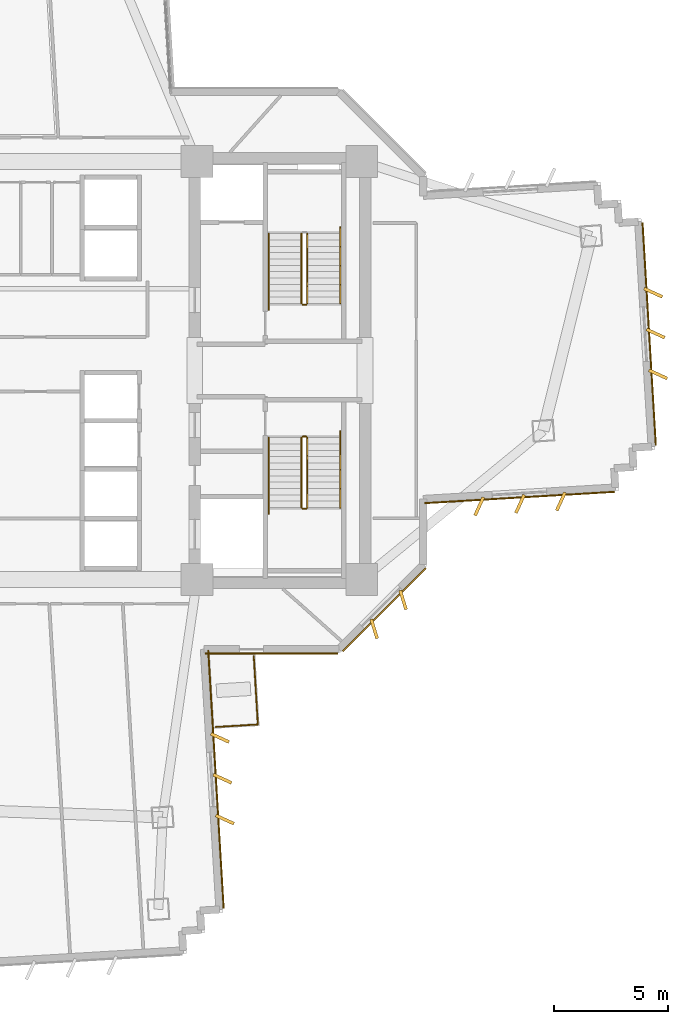
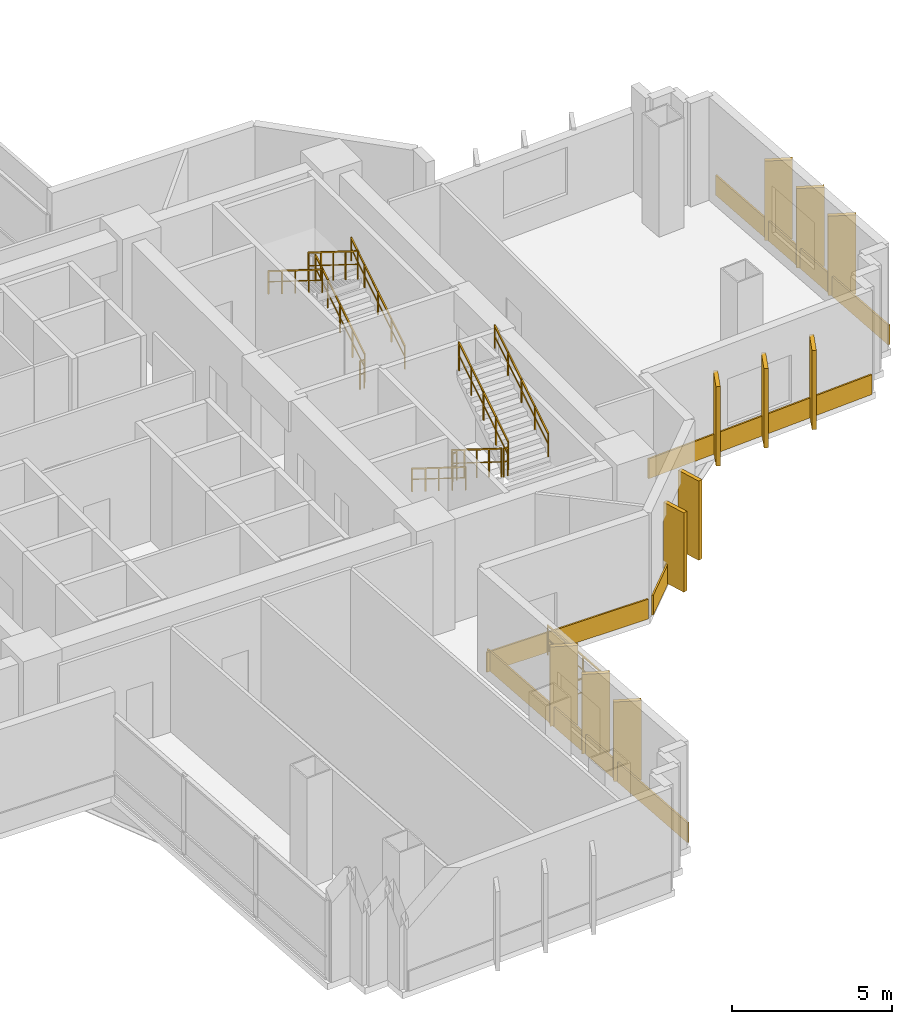
# One storey, part 13 of 15: 16 coverings, 13 railings.
"""IFC4 building model written with IfcOpenShell, lengths in metres."""

from ifc_helpers import new_model, si_unit, direction, frame, origin, origin_2d, place, context, subcontext, project, spatial, rectangle, extrude, source, transform, mapped, material, layer, layer_set, type_object, element, save


model = new_model("IFC4")

# Units and contexts
model_context = context("Model", 3, precision=1e-05, world=origin(), true_north=direction((0.0, 1.0)))
body_context = subcontext(model_context, "Body", "Model", "MODEL_VIEW")
ifc_project = project(units=[si_unit("LENGTHUNIT", "METRE"), si_unit("AREAUNIT", "SQUARE_METRE"), si_unit("VOLUMEUNIT", "CUBIC_METRE"), si_unit("PLANEANGLEUNIT", "RADIAN"), si_unit("MASSUNIT", "GRAM", prefix="KILO")], contexts=[model_context])

# Site, building, storey
site_placement = place(None, origin())
site = spatial("IfcSite", under=ifc_project, at=site_placement, CompositionType="ELEMENT")
building_placement = place(site_placement, origin())
building = spatial("IfcBuilding", under=site, at=building_placement, Name="Zahravan Cultural Tower", CompositionType="ELEMENT")
storey_placement = place(building_placement, frame((0.0, 0.0, 75.300048828125)))
storey = spatial("IfcBuildingStorey", under=building, at=storey_placement, Name="L16", CompositionType="ELEMENT", Elevation=75.300048828125)

# Railings
ifc_material_1 = material(Name="Steel ASTM A572 Grade 50", Category="steel")
railing_type_1 = type_object("IfcRailingType", Name="RL-BAL-1150", PredefinedType="BALUSTRADE", material=ifc_material_1)
railing_1_placement = place(storey_placement, frame((45.776611328125, 11.425537109375, 0.0)))
element("IfcRailing", 1, at=railing_1_placement, inside=storey, type_object=railing_type_1, Name="L16 Edge Balustrade GRD-TR-L16-SE-01", PredefinedType="BALUSTRADE", context=body_context, shape_type="SweptSolid", body=[
    extrude(rectangle(XDim=0.05, YDim=0.05, at=origin_2d()), frame((0.0, 0.0, 1.125), z_axis=(-0.99821980282, -0.059642478635, 0.0), x_axis=(0.059642478635, -0.99821980282, 0.0)), (0.0, 0.0, 1.0), 1.85009765625),
    extrude(rectangle(XDim=0.032, YDim=0.032, at=origin_2d()), frame((0.0, 0.0, 0.597900390625), z_axis=(-0.99821980282, -0.059642478635, 0.0), x_axis=(0.059642478635, -0.99821980282, 0.0)), (0.0, 0.0, 1.0), 1.85009765625),
    extrude(rectangle(XDim=0.04, YDim=0.04, at=origin_2d()), origin(), (0.0, 0.0, 1.0), 1.14990234375),
    extrude(rectangle(XDim=0.04, YDim=0.04, at=origin_2d()), frame((-0.92333984375, -0.05517578125, 0.0)), (0.0, 0.0, 1.0), 1.14990234375),
    extrude(rectangle(XDim=0.04, YDim=0.04, at=origin_2d()), frame((-1.846923828125, -0.1103515625, 0.0)), (0.0, 0.0, 1.0), 1.14990234375),
])
railing_2_placement = place(storey_placement, frame((45.597412109375, 14.419921875, 0.0)))
element("IfcRailing", 2, at=railing_2_placement, inside=storey, type_object=railing_type_1, Name="L16 Edge Balustrade GRD-TR-L16-SE-02", PredefinedType="BALUSTRADE", context=body_context, shape_type="SweptSolid", body=[
    extrude(rectangle(XDim=0.05, YDim=0.05, at=origin_2d()), frame((0.0, 0.0, 1.125), z_axis=(0.059738209015, -0.998214078434, 0.0), x_axis=(0.998214078434, 0.059738209015, 0.0)), (0.0, 0.0, 1.0), 2.999755859375),
    extrude(rectangle(XDim=0.032, YDim=0.032, at=origin_2d()), frame((0.0, 0.0, 0.597900390625), z_axis=(0.059738209015, -0.998214078434, 0.0), x_axis=(0.998214078434, 0.059738209015, 0.0)), (0.0, 0.0, 1.0), 2.999755859375),
    extrude(rectangle(XDim=0.04, YDim=0.04, at=origin_2d()), origin(), (0.0, 0.0, 1.0), 1.14990234375),
    extrude(rectangle(XDim=0.04, YDim=0.04, at=origin_2d()), frame((0.059814453125, -0.998046875, 0.0)), (0.0, 0.0, 1.0), 1.14990234375),
    extrude(rectangle(XDim=0.04, YDim=0.04, at=origin_2d()), frame((0.119384765625, -1.996337890625, 0.0)), (0.0, 0.0, 1.0), 1.14990234375),
    extrude(rectangle(XDim=0.04, YDim=0.04, at=origin_2d()), frame((0.17919921875, -2.994384765625, 0.0)), (0.0, 0.0, 1.0), 1.14990234375),
])
railing_type_2 = type_object("IfcRailingType", Name="RL-STAIR-GRD1150", PredefinedType="BALUSTRADE", material=ifc_material_1)
railing_3_placement = place(storey_placement, frame((47.949951171875, 29.949951171875, 0.175048828125)))
element("IfcRailing", 3, at=railing_3_placement, inside=storey, type_object=railing_type_2, Name="L16 ST-E1 stair guard 1", PredefinedType="BALUSTRADE", context=body_context, shape_type="SweptSolid", body=[
    extrude(rectangle(XDim=0.05, YDim=0.05, at=origin_2d()), frame((0.0, 0.0, 1.0751953125), z_axis=(0.0, 0.848028513186, 0.529950602248), x_axis=(-1.0, 0.0, 0.0)), (0.0, 0.0, 1.0), 3.632080078125),
    extrude(rectangle(XDim=0.032, YDim=0.032, at=origin_2d()), frame((0.0, 0.0, 0.572021484375), z_axis=(0.0, 0.848028513186, 0.529950602248), x_axis=(-1.0, 0.0, 0.0)), (0.0, 0.0, 1.0), 3.632080078125),
    extrude(rectangle(XDim=0.04, YDim=0.04, at=origin_2d()), origin(), (0.0, 0.0, 1.0), 1.10009765625),
    extrude(rectangle(XDim=0.04, YDim=0.04, at=origin_2d()), frame((0.0, 0.77001953125, 0.481201171875)), (0.0, 0.0, 1.0), 1.10009765625),
    extrude(rectangle(XDim=0.04, YDim=0.04, at=origin_2d()), frame((0.0, 1.5400390625, 0.96240234375)), (0.0, 0.0, 1.0), 1.10009765625),
    extrude(rectangle(XDim=0.04, YDim=0.04, at=origin_2d()), frame((0.0, 2.31005859375, 1.443603515625)), (0.0, 0.0, 1.0), 1.10009765625),
    extrude(rectangle(XDim=0.04, YDim=0.04, at=origin_2d()), frame((0.0, 3.080078125, 1.9248046875)), (0.0, 0.0, 1.0), 1.10009765625),
])
railing_4_placement = place(storey_placement, frame((47.699951171875, 33.030029296875, 2.27490234375)))
element("IfcRailing", 4, at=railing_4_placement, inside=storey, type_object=railing_type_2, Name="L16 ST-E1 stair guard 3", PredefinedType="BALUSTRADE", context=body_context, shape_type="SweptSolid", body=[
    extrude(rectangle(XDim=0.05, YDim=0.05, at=origin_2d()), frame((0.0, 0.0, 1.0751953125), z_axis=(0.0, -0.847998304005, 0.529998940003), x_axis=(1.0, 0.0, 0.0)), (0.0, 0.0, 1.0), 3.632080078125),
    extrude(rectangle(XDim=0.032, YDim=0.032, at=origin_2d()), frame((0.0, 0.0, 0.572021484375), z_axis=(0.0, -0.847998304005, 0.529998940003), x_axis=(1.0, 0.0, 0.0)), (0.0, 0.0, 1.0), 3.632080078125),
    extrude(rectangle(XDim=0.04, YDim=0.04, at=origin_2d()), origin(), (0.0, 0.0, 1.0), 1.10009765625),
    extrude(rectangle(XDim=0.04, YDim=0.04, at=origin_2d()), frame((0.0, -0.77001953125, 0.481201171875)), (0.0, 0.0, 1.0), 1.10009765625),
    extrude(rectangle(XDim=0.04, YDim=0.04, at=origin_2d()), frame((0.0, -1.5400390625, 0.96240234375)), (0.0, 0.0, 1.0), 1.10009765625),
    extrude(rectangle(XDim=0.04, YDim=0.04, at=origin_2d()), frame((0.0, -2.31005859375, 1.44384765625)), (0.0, 0.0, 1.0), 1.10009765625),
    extrude(rectangle(XDim=0.04, YDim=0.04, at=origin_2d()), frame((0.0, -3.080078125, 1.925048828125)), (0.0, 0.0, 1.0), 1.10009765625),
])
railing_5_placement = place(storey_placement, frame((47.89990234375, 29.89990234375, 0.0)))
element("IfcRailing", 5, at=railing_5_placement, inside=storey, type_object=railing_type_2, Name="L16 ST-E1 stair guard 4", PredefinedType="BALUSTRADE", context=body_context, shape_type="SweptSolid", body=[
    extrude(rectangle(XDim=0.05, YDim=0.05, at=origin_2d()), frame((0.0, 0.0, 1.0751953125), z_axis=(-1.0, 0.0, 0.0), x_axis=(0.0, -1.0, 0.0)), (0.0, 0.0, 1.0), 0.14990234375),
    extrude(rectangle(XDim=0.032, YDim=0.032, at=origin_2d()), frame((0.0, 0.0, 0.572021484375), z_axis=(-1.0, 0.0, 0.0), x_axis=(0.0, -1.0, 0.0)), (0.0, 0.0, 1.0), 0.14990234375),
    extrude(rectangle(XDim=0.04, YDim=0.04, at=origin_2d()), origin(), (0.0, 0.0, 1.0), 1.10009765625),
    extrude(rectangle(XDim=0.04, YDim=0.04, at=origin_2d()), frame((-0.14990234375, 0.0, 0.0)), (0.0, 0.0, 1.0), 1.10009765625),
])
railing_6_placement = place(storey_placement, frame((47.699951171875, 24.050048828125, 0.175048828125)))
element("IfcRailing", 6, at=railing_6_placement, inside=storey, type_object=railing_type_2, Name="L16 ST-E2 stair guard 1", PredefinedType="BALUSTRADE", context=body_context, shape_type="SweptSolid", body=[
    extrude(rectangle(XDim=0.05, YDim=0.05, at=origin_2d()), frame((0.0, 0.0, 1.0751953125), z_axis=(0.0, -0.848028513186, 0.529950602248), x_axis=(1.0, 0.0, 0.0)), (0.0, 0.0, 1.0), 3.632080078125),
    extrude(rectangle(XDim=0.032, YDim=0.032, at=origin_2d()), frame((0.0, 0.0, 0.572021484375), z_axis=(0.0, -0.848028513186, 0.529950602248), x_axis=(1.0, 0.0, 0.0)), (0.0, 0.0, 1.0), 3.632080078125),
    extrude(rectangle(XDim=0.04, YDim=0.04, at=origin_2d()), origin(), (0.0, 0.0, 1.0), 1.10009765625),
    extrude(rectangle(XDim=0.04, YDim=0.04, at=origin_2d()), frame((0.0, -0.77001953125, 0.481201171875)), (0.0, 0.0, 1.0), 1.10009765625),
    extrude(rectangle(XDim=0.04, YDim=0.04, at=origin_2d()), frame((0.0, -1.5400390625, 0.96240234375)), (0.0, 0.0, 1.0), 1.10009765625),
    extrude(rectangle(XDim=0.04, YDim=0.04, at=origin_2d()), frame((0.0, -2.31005859375, 1.443603515625)), (0.0, 0.0, 1.0), 1.10009765625),
    extrude(rectangle(XDim=0.04, YDim=0.04, at=origin_2d()), frame((0.0, -3.080078125, 1.9248046875)), (0.0, 0.0, 1.0), 1.10009765625),
])
railing_7_placement = place(storey_placement, frame((47.75, 20.919921875, 2.099853515625)))
element("IfcRailing", 7, at=railing_7_placement, inside=storey, type_object=railing_type_2, Name="L16 ST-E2 stair guard 2", PredefinedType="BALUSTRADE", context=body_context, shape_type="SweptSolid", body=[
    extrude(rectangle(XDim=0.05, YDim=0.05, at=origin_2d()), frame((0.0, 0.0, 1.0751953125), z_axis=(1.0, 0.0, 0.0), x_axis=(0.0, 1.0, 0.0)), (0.0, 0.0, 1.0), 0.14990234375),
    extrude(rectangle(XDim=0.032, YDim=0.032, at=origin_2d()), frame((0.0, 0.0, 0.572021484375), z_axis=(1.0, 0.0, 0.0), x_axis=(0.0, 1.0, 0.0)), (0.0, 0.0, 1.0), 0.14990234375),
    extrude(rectangle(XDim=0.04, YDim=0.04, at=origin_2d()), origin(), (0.0, 0.0, 1.0), 1.10009765625),
    extrude(rectangle(XDim=0.04, YDim=0.04, at=origin_2d()), frame((0.14990234375, 0.0, 0.0)), (0.0, 0.0, 1.0), 1.10009765625),
])
railing_8_placement = place(storey_placement, frame((47.949951171875, 20.969970703125, 2.27490234375)))
element("IfcRailing", 8, at=railing_8_placement, inside=storey, type_object=railing_type_2, Name="L16 ST-E2 stair guard 3", PredefinedType="BALUSTRADE", context=body_context, shape_type="SweptSolid", body=[
    extrude(rectangle(XDim=0.05, YDim=0.05, at=origin_2d()), frame((0.0, 0.0, 1.0751953125), z_axis=(0.0, 0.847998304005, 0.529998940003), x_axis=(-1.0, 0.0, 0.0)), (0.0, 0.0, 1.0), 3.632080078125),
    extrude(rectangle(XDim=0.032, YDim=0.032, at=origin_2d()), frame((0.0, 0.0, 0.572021484375), z_axis=(0.0, 0.847998304005, 0.529998940003), x_axis=(-1.0, 0.0, 0.0)), (0.0, 0.0, 1.0), 3.632080078125),
    extrude(rectangle(XDim=0.04, YDim=0.04, at=origin_2d()), origin(), (0.0, 0.0, 1.0), 1.10009765625),
    extrude(rectangle(XDim=0.04, YDim=0.04, at=origin_2d()), frame((0.0, 0.77001953125, 0.481201171875)), (0.0, 0.0, 1.0), 1.10009765625),
    extrude(rectangle(XDim=0.04, YDim=0.04, at=origin_2d()), frame((0.0, 1.5400390625, 0.96240234375)), (0.0, 0.0, 1.0), 1.10009765625),
    extrude(rectangle(XDim=0.04, YDim=0.04, at=origin_2d()), frame((0.0, 2.31005859375, 1.44384765625)), (0.0, 0.0, 1.0), 1.10009765625),
    extrude(rectangle(XDim=0.04, YDim=0.04, at=origin_2d()), frame((0.0, 3.080078125, 1.925048828125)), (0.0, 0.0, 1.0), 1.10009765625),
])
railing_9_placement = place(storey_placement, frame((47.75, 24.10009765625, 0.0)))
element("IfcRailing", 9, at=railing_9_placement, inside=storey, type_object=railing_type_2, Name="L16 ST-E2 stair guard 4", PredefinedType="BALUSTRADE", context=body_context, shape_type="SweptSolid", body=[
    extrude(rectangle(XDim=0.05, YDim=0.05, at=origin_2d()), frame((0.0, 0.0, 1.0751953125), z_axis=(1.0, 0.0, 0.0), x_axis=(0.0, 1.0, 0.0)), (0.0, 0.0, 1.0), 0.14990234375),
    extrude(rectangle(XDim=0.032, YDim=0.032, at=origin_2d()), frame((0.0, 0.0, 0.572021484375), z_axis=(1.0, 0.0, 0.0), x_axis=(0.0, 1.0, 0.0)), (0.0, 0.0, 1.0), 0.14990234375),
    extrude(rectangle(XDim=0.04, YDim=0.04, at=origin_2d()), origin(), (0.0, 0.0, 1.0), 1.10009765625),
    extrude(rectangle(XDim=0.04, YDim=0.04, at=origin_2d()), frame((0.14990234375, 0.0, 0.0)), (0.0, 0.0, 1.0), 1.10009765625),
])
railing_type_3 = type_object("IfcRailingType", Name="RL-STAIR-HR900", PredefinedType="HANDRAIL", material=ifc_material_1)
railing_10_placement = place(storey_placement, frame((49.39990234375, 29.949951171875, 0.175048828125)))
element("IfcRailing", 10, at=railing_10_placement, inside=storey, type_object=railing_type_3, Name="L16 ST-E1 stair handrail 1", PredefinedType="HANDRAIL", context=body_context, shape_type="SweptSolid", body=[
    extrude(rectangle(XDim=0.05, YDim=0.05, at=origin_2d()), frame((0.0, 0.0, 0.875), z_axis=(0.0, 0.848022534174, 0.529960169762), x_axis=(-1.0, 0.0, 0.0)), (0.0, 0.0, 1.0), 3.96240234375),
    extrude(rectangle(XDim=0.032, YDim=0.032, at=origin_2d()), frame((0.0, 0.0, 0.468017578125), z_axis=(0.0, 0.848022534174, 0.529960169762), x_axis=(-1.0, 0.0, 0.0)), (0.0, 0.0, 1.0), 3.96240234375),
    extrude(rectangle(XDim=0.04, YDim=0.04, at=origin_2d()), origin(), (0.0, 0.0, 1.0), 0.89990234375),
    extrude(rectangle(XDim=0.04, YDim=0.04, at=origin_2d()), frame((0.0, 0.840087890625, 0.52490234375)), (0.0, 0.0, 1.0), 0.89990234375),
    extrude(rectangle(XDim=0.04, YDim=0.04, at=origin_2d()), frame((0.0, 1.68017578125, 1.0498046875)), (0.0, 0.0, 1.0), 0.89990234375),
    extrude(rectangle(XDim=0.04, YDim=0.04, at=origin_2d()), frame((0.0, 2.52001953125, 1.574951171875)), (0.0, 0.0, 1.0), 0.89990234375),
    extrude(rectangle(XDim=0.04, YDim=0.04, at=origin_2d()), frame((0.0, 3.360107421875, 2.099853515625)), (0.0, 0.0, 1.0), 0.89990234375),
])
railing_11_placement = place(storey_placement, frame((46.25, 33.030029296875, 2.27490234375)))
element("IfcRailing", 11, at=railing_11_placement, inside=storey, type_object=railing_type_3, Name="L16 ST-E1 stair handrail 2", PredefinedType="HANDRAIL", context=body_context, shape_type="SweptSolid", body=[
    extrude(rectangle(XDim=0.05, YDim=0.05, at=origin_2d()), frame((0.0, 0.0, 0.875), z_axis=(0.0, -0.847994842521, 0.530004478338), x_axis=(1.0, 0.0, 0.0)), (0.0, 0.0, 1.0), 3.96240234375),
    extrude(rectangle(XDim=0.032, YDim=0.032, at=origin_2d()), frame((0.0, 0.0, 0.468017578125), z_axis=(0.0, -0.847994842521, 0.530004478338), x_axis=(1.0, 0.0, 0.0)), (0.0, 0.0, 1.0), 3.96240234375),
    extrude(rectangle(XDim=0.04, YDim=0.04, at=origin_2d()), origin(), (0.0, 0.0, 1.0), 0.89990234375),
    extrude(rectangle(XDim=0.04, YDim=0.04, at=origin_2d()), frame((0.0, -0.840087890625, 0.52490234375)), (0.0, 0.0, 1.0), 0.89990234375),
    extrude(rectangle(XDim=0.04, YDim=0.04, at=origin_2d()), frame((0.0, -1.68017578125, 1.050048828125)), (0.0, 0.0, 1.0), 0.89990234375),
    extrude(rectangle(XDim=0.04, YDim=0.04, at=origin_2d()), frame((0.0, -2.52001953125, 1.5751953125)), (0.0, 0.0, 1.0), 0.89990234375),
    extrude(rectangle(XDim=0.04, YDim=0.04, at=origin_2d()), frame((0.0, -3.360107421875, 2.10009765625)), (0.0, 0.0, 1.0), 0.89990234375),
])
railing_12_placement = place(storey_placement, frame((46.25, 24.050048828125, 0.175048828125)))
element("IfcRailing", 12, at=railing_12_placement, inside=storey, type_object=railing_type_3, Name="L16 ST-E2 stair handrail 1", PredefinedType="HANDRAIL", context=body_context, shape_type="SweptSolid", body=[
    extrude(rectangle(XDim=0.05, YDim=0.05, at=origin_2d()), frame((0.0, 0.0, 0.875), z_axis=(0.0, -0.848022534174, 0.529960169762), x_axis=(1.0, 0.0, 0.0)), (0.0, 0.0, 1.0), 3.96240234375),
    extrude(rectangle(XDim=0.032, YDim=0.032, at=origin_2d()), frame((0.0, 0.0, 0.468017578125), z_axis=(0.0, -0.848022534174, 0.529960169762), x_axis=(1.0, 0.0, 0.0)), (0.0, 0.0, 1.0), 3.96240234375),
    extrude(rectangle(XDim=0.04, YDim=0.04, at=origin_2d()), origin(), (0.0, 0.0, 1.0), 0.89990234375),
    extrude(rectangle(XDim=0.04, YDim=0.04, at=origin_2d()), frame((0.0, -0.840087890625, 0.52490234375)), (0.0, 0.0, 1.0), 0.89990234375),
    extrude(rectangle(XDim=0.04, YDim=0.04, at=origin_2d()), frame((0.0, -1.68017578125, 1.0498046875)), (0.0, 0.0, 1.0), 0.89990234375),
    extrude(rectangle(XDim=0.04, YDim=0.04, at=origin_2d()), frame((0.0, -2.52001953125, 1.574951171875)), (0.0, 0.0, 1.0), 0.89990234375),
    extrude(rectangle(XDim=0.04, YDim=0.04, at=origin_2d()), frame((0.0, -3.360107421875, 2.099853515625)), (0.0, 0.0, 1.0), 0.89990234375),
])
railing_13_placement = place(storey_placement, frame((49.39990234375, 20.969970703125, 2.27490234375)))
element("IfcRailing", 13, at=railing_13_placement, inside=storey, type_object=railing_type_3, Name="L16 ST-E2 stair handrail 2", PredefinedType="HANDRAIL", context=body_context, shape_type="SweptSolid", body=[
    extrude(rectangle(XDim=0.05, YDim=0.05, at=origin_2d()), frame((0.0, 0.0, 0.875), z_axis=(0.0, 0.847994842521, 0.530004478338), x_axis=(-1.0, 0.0, 0.0)), (0.0, 0.0, 1.0), 3.96240234375),
    extrude(rectangle(XDim=0.032, YDim=0.032, at=origin_2d()), frame((0.0, 0.0, 0.468017578125), z_axis=(0.0, 0.847994842521, 0.530004478338), x_axis=(-1.0, 0.0, 0.0)), (0.0, 0.0, 1.0), 3.96240234375),
    extrude(rectangle(XDim=0.04, YDim=0.04, at=origin_2d()), origin(), (0.0, 0.0, 1.0), 0.89990234375),
    extrude(rectangle(XDim=0.04, YDim=0.04, at=origin_2d()), frame((0.0, 0.840087890625, 0.52490234375)), (0.0, 0.0, 1.0), 0.89990234375),
    extrude(rectangle(XDim=0.04, YDim=0.04, at=origin_2d()), frame((0.0, 1.68017578125, 1.050048828125)), (0.0, 0.0, 1.0), 0.89990234375),
    extrude(rectangle(XDim=0.04, YDim=0.04, at=origin_2d()), frame((0.0, 2.52001953125, 1.5751953125)), (0.0, 0.0, 1.0), 0.89990234375),
    extrude(rectangle(XDim=0.04, YDim=0.04, at=origin_2d()), frame((0.0, 3.360107421875, 2.10009765625)), (0.0, 0.0, 1.0), 0.89990234375),
])

# Coverings
ifc_material_2 = material(Name="Terracotta ceramic cladding", Category="masonry")
ifc_layer = layer(ifc_material_2, 0.06005859375)
ifc_layer_set = layer_set([ifc_layer], Name="Terracotta ceramic cladding")
covering_type = type_object("IfcCoveringType", Name="COV-CLAD-TC60", PredefinedType="CLADDING", material=ifc_layer_set)
shared_shape_1 = source(origin(), body_context, "Body", "SweptSolid", [
    extrude(rectangle(XDim=9.820068359375, YDim=0.06005859375, at=origin_2d()), origin(), (0.0, 0.0, 1.0), 0.760009765625),
])
covering_1_placement = place(storey_placement, frame((62.996826171875, 28.61328125, 0.02001953125), z_axis=(0.0, 0.0, 1.0), x_axis=(0.05965482139, -0.998219065278, 0.0)))
element("IfcCovering", 14, at=covering_1_placement, inside=storey, type_object=covering_type, Name="L16 Terracotta Spandrel Cladding 06", PredefinedType="CLADDING", context=body_context, shape_type="MappedRepresentation", body=[
    mapped(shared_shape_1, transform((0.0, 0.0, 0.0), x_axis=(1.0, 0.0, 0.0), y_axis=(0.0, 1.0, 0.0), z_axis=(0.0, 0.0, 1.0), scale=1.0)),
])
shared_shape_2 = source(origin(), body_context, "Body", "SweptSolid", [
    extrude(rectangle(XDim=5.157958984375, YDim=0.06005859375, at=origin_2d()), origin(), (0.0, 0.0, 1.0), 0.760009765625),
])
covering_2_placement = place(storey_placement, frame((51.331787109375, 16.46826171875, 0.02001953125), z_axis=(0.0, 0.0, 1.0), x_axis=(-0.707106781187, -0.707106781187, 0.0)))
element("IfcCovering", 15, at=covering_2_placement, inside=storey, type_object=covering_type, Name="L16 Terracotta Spandrel Cladding 13", PredefinedType="CLADDING", context=body_context, shape_type="MappedRepresentation", body=[
    mapped(shared_shape_2, transform((0.0, 0.0, 0.0), x_axis=(1.0, 0.0, 0.0), y_axis=(0.0, 1.0, 0.0), z_axis=(0.0, 0.0, 1.0), scale=1.0)),
])
shared_shape_3 = source(origin(), body_context, "Body", "SweptSolid", [
    extrude(rectangle(XDim=0.8798828125, YDim=0.139892578125, at=origin_2d()), origin(), (0.0, 0.0, 1.0), 3.030029296875),
])
for number, where, z_axis, x_axis, name in (
    (16, (63.174072265625, 30.42724609375, 0.0498046875), (0.0, 0.0, 1.0), (0.909381363059, -0.41596338363, 0.0), "L16 Herringbone Terracotta Fin 04"),
    (17, (63.281494140625, 28.63037109375, 0.0498046875), (0.0, 0.0, 1.0), (0.909381363059, -0.41596338363, 0.0), "L16 Herringbone Terracotta Fin 05"),
    (18, (63.388671875, 26.83349609375, 0.0498046875), (0.0, 0.0, 1.0), (0.909381363059, -0.41596338363, 0.0), "L16 Herringbone Terracotta Fin 06"),
    (19, (59.111083984375, 21.238525390625, 0.0498046875), (0.0, 0.0, 1.0), (-0.41596338363, -0.909381363059, 0.0), "L16 Herringbone Terracotta Fin 07"),
    (20, (57.314208984375, 21.131103515625, 0.0498046875), (0.0, 0.0, 1.0), (-0.41596338363, -0.909381363059, 0.0), "L16 Herringbone Terracotta Fin 08"),
    (21, (55.517578125, 21.023681640625, 0.0498046875), (0.0, 0.0, 1.0), (-0.41596338363, -0.909381363059, 0.0), "L16 Herringbone Terracotta Fin 09"),
    (22, (52.169677734375, 16.903076171875, 0.0498046875), (0.0, 0.0, 1.0), (0.292371704723, -0.956304755963, 0.0), "L16 Herringbone Terracotta Fin 10"),
    (23, (50.89697265625, 15.63037109375, 0.0498046875), (0.0, 0.0, 1.0), (0.292371704723, -0.956304755963, 0.0), "L16 Herringbone Terracotta Fin 11"),
    (24, (44.108642578125, 10.8349609375, 0.0498046875), (0.0, 0.0, 1.0), (0.909381363059, -0.41596338363, 0.0), "L16 Herringbone Terracotta Fin 12"),
    (25, (44.216064453125, 9.0380859375, 0.0498046875), (0.0, 0.0, 1.0), (0.909381363059, -0.41596338363, 0.0), "L16 Herringbone Terracotta Fin 13"),
    (26, (44.323486328125, 7.241455078125, 0.0498046875), (0.0, 0.0, 1.0), (0.909381363059, -0.41596338363, 0.0), "L16 Herringbone Terracotta Fin 14"),
):
    element("IfcCovering", number, at=place(storey_placement, frame(where, z_axis=z_axis, x_axis=x_axis)), inside=storey, type_object=covering_type, Name=name, PredefinedType="CLADDING", context=body_context, shape_type="MappedRepresentation", body=[
        mapped(shared_shape_3, transform((0.0, 0.0, 0.0), x_axis=(1.0, 0.0, 0.0), y_axis=(0.0, 1.0, 0.0), z_axis=(0.0, 0.0, 1.0), scale=1.0)),
    ])
shared_shape_4 = source(origin(), body_context, "Body", "SweptSolid", [
    extrude(rectangle(XDim=8.36767578125, YDim=0.06005859375, at=origin_2d()), origin(), (0.0, 0.0, 1.0), 0.760009765625),
])
covering_3_placement = place(storey_placement, frame((57.29736328125, 21.41552734375, 0.02001953125), z_axis=(0.0, 0.0, 1.0), x_axis=(-0.998219065278, -0.05965482139, 0.0)))
element("IfcCovering", 27, at=covering_3_placement, inside=storey, type_object=covering_type, Name="L16 Terracotta Spandrel Cladding 11", PredefinedType="CLADDING", context=body_context, shape_type="MappedRepresentation", body=[
    mapped(shared_shape_4, transform((0.0, 0.0, 0.0), x_axis=(1.0, 0.0, 0.0), y_axis=(0.0, 1.0, 0.0), z_axis=(0.0, 0.0, 1.0), scale=1.0)),
])
shared_shape_5 = source(origin(), body_context, "Body", "SweptSolid", [
    extrude(rectangle(XDim=5.83740234375, YDim=0.06005859375, at=origin_2d()), origin(), (0.0, 0.0, 1.0), 0.760009765625),
])
covering_4_placement = place(storey_placement, frame((46.373291015625, 14.554931640625, 0.02001953125), z_axis=(0.0, 0.0, 1.0), x_axis=(-1.0, 0.0, 0.0)))
element("IfcCovering", 28, at=covering_4_placement, inside=storey, type_object=covering_type, Name="L16 Terracotta Spandrel Cladding 14", PredefinedType="CLADDING", context=body_context, shape_type="MappedRepresentation", body=[
    mapped(shared_shape_5, transform((0.0, 0.0, 0.0), x_axis=(1.0, 0.0, 0.0), y_axis=(0.0, 1.0, 0.0), z_axis=(0.0, 0.0, 1.0), scale=1.0)),
])
shared_shape_6 = source(origin(), body_context, "Body", "SweptSolid", [
    extrude(rectangle(XDim=11.380126953125, YDim=0.06005859375, at=origin_2d()), origin(), (0.0, 0.0, 1.0), 0.760009765625),
])
covering_5_placement = place(storey_placement, frame((43.931640625, 9.021240234375, 0.02001953125), z_axis=(0.0, 0.0, 1.0), x_axis=(0.05965482139, -0.998219065278, 0.0)))
element("IfcCovering", 29, at=covering_5_placement, inside=storey, type_object=covering_type, Name="L16 Terracotta Spandrel Cladding 15", PredefinedType="CLADDING", context=body_context, shape_type="MappedRepresentation", body=[
    mapped(shared_shape_6, transform((0.0, 0.0, 0.0), x_axis=(1.0, 0.0, 0.0), y_axis=(0.0, 1.0, 0.0), z_axis=(0.0, 0.0, 1.0), scale=1.0)),
])

save(model, "model.ifc")
